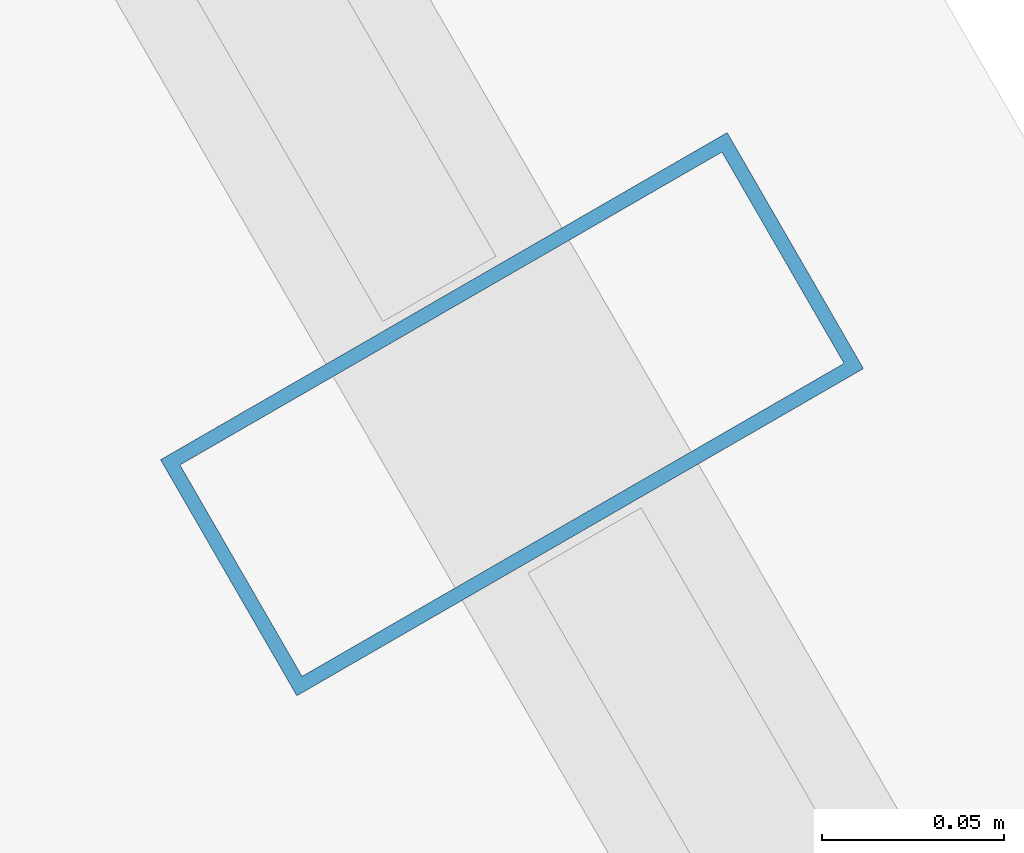
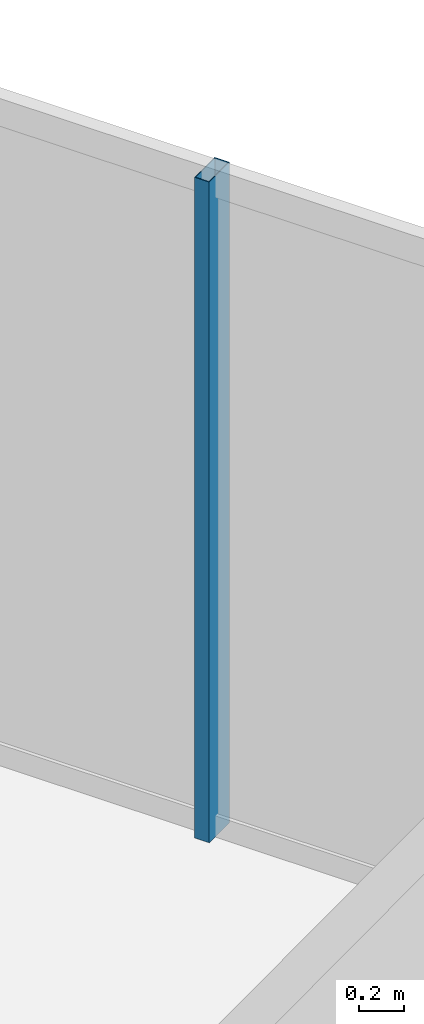
# One storey, part 24 of 32: 1 member, 1 element without a shape of its own.
"""IFC4 building model written with IfcOpenShell, lengths in metres."""

from ifc_helpers import new_model, si_unit, direction, frame, origin, origin_2d, place, context, subcontext, project, spatial, hollow_rectangle, extrude, material, layer, layer_set, material_profile, profile_set, type_object, element, aggregate, save


model = new_model("IFC4")

# Units and contexts
model_context = context("Model", 3, precision=1e-05, world=origin(), true_north=direction((0.0, 1.0)))
body_context = subcontext(model_context, "Body", "Model", "MODEL_VIEW")
ifc_project = project(units=[si_unit("LENGTHUNIT", "METRE"), si_unit("AREAUNIT", "SQUARE_METRE"), si_unit("VOLUMEUNIT", "CUBIC_METRE"), si_unit("PLANEANGLEUNIT", "RADIAN"), si_unit("MASSUNIT", "GRAM", prefix="KILO")], contexts=[model_context])

# Site, building, storey
site_placement = place(None, origin())
site = spatial("IfcSite", under=ifc_project, at=site_placement, CompositionType="ELEMENT")
building_placement = place(site_placement, origin())
building = spatial("IfcBuilding", under=site, at=building_placement, Name="Ndaravel Arena Tower", CompositionType="ELEMENT")
storey_placement = place(building_placement, frame((0.0, 0.0, 290.89990234375)))
storey = spatial("IfcBuildingStorey", under=building, at=storey_placement, Name="L71", CompositionType="ELEMENT", Elevation=290.89990234375)

# Curtain wall, member
ifc_material_1 = material(Name="Aluminium", Category="aluminium")
ifc_layer = layer(ifc_material_1, 0.179931640625)
ifc_layer_set = layer_set([ifc_layer], Name="Aluminium")
curtain_wall_type = type_object("IfcCurtainWallType", Name="CW-SYS-03", PredefinedType="NOTDEFINED", material=ifc_layer_set)
curtain_wall_placement = place(storey_placement, origin())
curtain_wall = element("IfcCurtainWall", 1, at=curtain_wall_placement, inside=storey, type_object=curtain_wall_type, Name="L71 Faceted Crystal Curtain Wall CW-L71-E03", PredefinedType="NOTDEFINED")
ifc_material_2 = material(Name="Aluminium", Category="aluminium")
ifc_material_profile = material_profile(ifc_material_2, hollow_rectangle(XDim=0.074951171875, YDim=0.179931640625, WallThickness=0.00390625, at=origin_2d()), Name="CW MULLION 75x180x4")
ifc_profile_set = profile_set([ifc_material_profile], Name="Aluminium")
member_type = type_object("IfcMemberType", Name="MEM-CW-MUL180", PredefinedType="MULLION", material=ifc_profile_set)
member_placement = place(storey_placement, frame((53.1767578125, 28.374755859375, 0.0), z_axis=(0.0, 0.0, 1.0), x_axis=(-0.5, 0.866025403784, 0.0)))
member = element("IfcMember", 2, at=member_placement, type_object=member_type, Name="CW-L71-E03 Mullion 05", PredefinedType="MULLION", context=body_context, shape_type="SweptSolid", body=[
    extrude(hollow_rectangle(XDim=0.074951171875, YDim=0.179931640625, WallThickness=0.00390625, at=origin_2d()), origin(), (0.0, 0.0, 1.0), 3.580078125),
])
aggregate(curtain_wall, [member])

save(model, "model.ifc")
